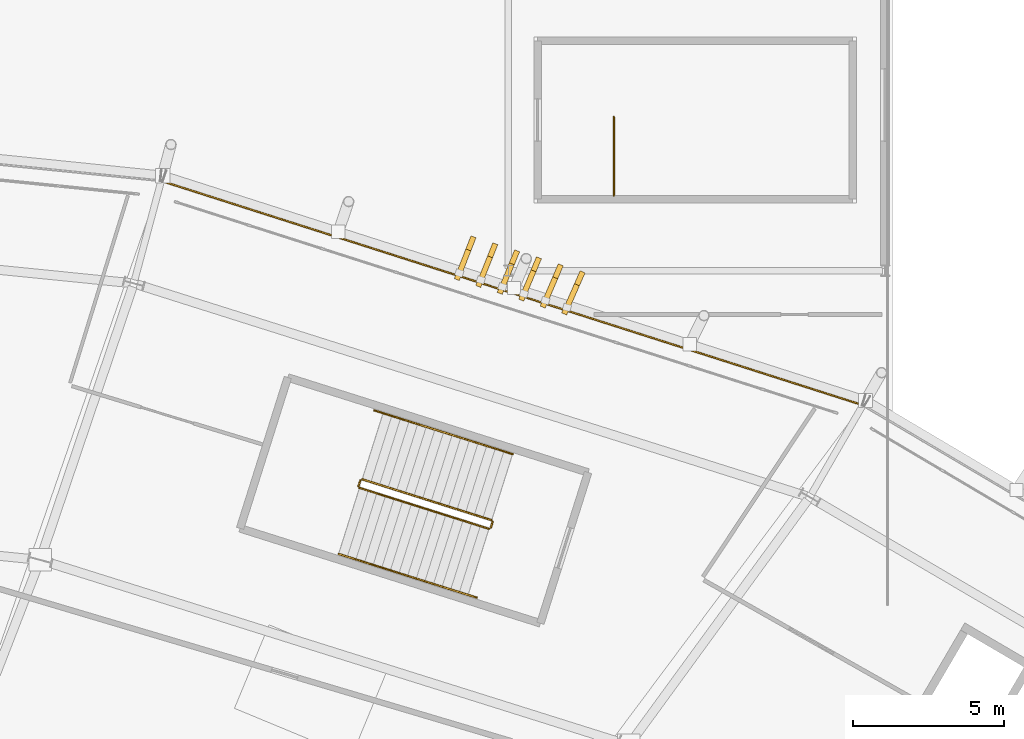
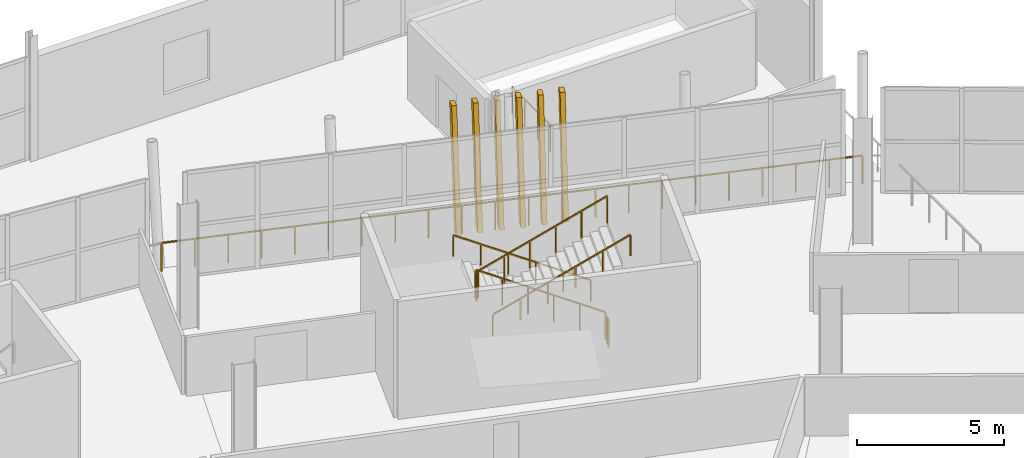
# One storey, part 167 of 168: 8 railings, 6 shading devices.
"""IFC4 building model written with IfcOpenShell, lengths in metres."""

import ifcopenshell
import ifcopenshell.guid

model = None  # the IFC model being written
_history = None  # IfcOwnerHistory: only IFC2X3 demands one
_inside = {}  # id of a spatial element -> (the spatial element, [elements in it])
_under = {}  # id of a project, library or spatial element -> (it, [spatial elements below it])
_declared = {}  # id of a project -> (the project, [libraries it declares])
_typed = {}  # id of a type object -> (the type object, [elements of that type])
_made_of = {}  # id of a material, layer set ... -> (it, [elements and type objects made of it])


def new_model(schema):
    """Start an empty IFC model of exactly this schema.

    Asked for "IFC4X3", IfcOpenShell would pick the latest addendum, in which some entities
    have other attributes; the version numbers below select the first issue.
    IFC2X3 requires an IfcOwnerHistory on every rooted entity: one is made here for all.
    """
    global model, _history
    if schema == "IFC4X3":
        model = ifcopenshell.file(schema_version=(4, 3, 0, 0))
    else:
        model = ifcopenshell.file(schema=schema)
    _inside.clear()
    _under.clear()
    _declared.clear()
    _typed.clear()
    _made_of.clear()
    _history = None
    if model.schema == "IFC2X3":
        org = make("IfcOrganization", Name="unknown")
        user = make(
            "IfcPersonAndOrganization",
            ThePerson=make("IfcPerson", FamilyName="unknown"),
            TheOrganization=org,
        )
        app = make(
            "IfcApplication",
            ApplicationDeveloper=org,
            Version="unknown",
            ApplicationFullName="unknown",
            ApplicationIdentifier="unknown",
        )
        _history = make(
            "IfcOwnerHistory",
            OwningUser=user,
            OwningApplication=app,
            ChangeAction="ADDED",
            CreationDate=0,
        )
    return model


def make(cls, **values):
    """One entity of the class cls with the attributes given. An attribute that is None is left unset."""
    return model.create_entity(
        cls, **{name: value for name, value in values.items() if value is not None}
    )


def rooted(cls, **values):
    """An entity with a GlobalId (a new one), such as an element, a storey or a relation."""
    return make(cls, GlobalId=ifcopenshell.guid.new(), OwnerHistory=_history, **values)


def si_unit(unit_type, name, prefix=None):
    """IfcSIUnit, for example si_unit("LENGTHUNIT", "METRE", prefix="MILLI")."""
    return make("IfcSIUnit", UnitType=unit_type, Prefix=prefix, Name=name)


def assignment(units):
    """IfcUnitAssignment: the units of a project."""
    return None if units is None else make("IfcUnitAssignment", Units=units)


def point(xyz):
    """IfcCartesianPoint."""
    return None if xyz is None else make("IfcCartesianPoint", Coordinates=xyz)


def direction(xyz):
    """IfcDirection."""
    return None if xyz is None else make("IfcDirection", DirectionRatios=xyz)


def frame(location, z_axis=None, x_axis=None):
    """IfcAxis2Placement3D, a coordinate frame: its origin and axes. An axis left out is left unset."""
    return make(
        "IfcAxis2Placement3D",
        Location=point(location),
        Axis=direction(z_axis),
        RefDirection=direction(x_axis),
    )


def frame_2d(location, x_axis=None):
    """IfcAxis2Placement2D, a coordinate frame in the plane: its origin and x axis."""
    return make(
        "IfcAxis2Placement2D", Location=point(location), RefDirection=direction(x_axis)
    )


def origin():
    """The frame at (0, 0, 0) with its axes left unset."""
    return frame((0.0, 0.0, 0.0))


def origin_2d():
    """The frame at (0, 0) in the plane with its x axis left unset."""
    return frame_2d((0.0, 0.0))


def place(relative_to, where):
    """IfcLocalPlacement: puts the frame where relative to a parent placement (None: the world)."""
    return make(
        "IfcLocalPlacement", PlacementRelTo=relative_to, RelativePlacement=where
    )


def context(
    kind, dimensions, precision=None, world=None, true_north=None, identifier=None
):
    """IfcGeometricRepresentationContext, for example the 3D "Model" context."""
    return make(
        "IfcGeometricRepresentationContext",
        ContextIdentifier=identifier,
        ContextType=kind,
        CoordinateSpaceDimension=dimensions,
        Precision=precision,
        WorldCoordinateSystem=world,
        TrueNorth=true_north,
    )


def subcontext(parent, identifier, kind, view, scale=None):
    """IfcGeometricRepresentationSubContext, for example "Body" below "Model"."""
    return make(
        "IfcGeometricRepresentationSubContext",
        ContextIdentifier=identifier,
        ContextType=kind,
        ParentContext=parent,
        TargetScale=scale,
        TargetView=view,
    )


def project(units=None, contexts=None):
    """IfcProject with its units and contexts."""
    return rooted(
        "IfcProject",
        Name="project",
        RepresentationContexts=contexts,
        UnitsInContext=assignment(units),
    )


def spatial(cls, under=None, at=None, **own):
    """A site, building, storey or space (cls), placed at a placement, below another one or the project."""
    s = rooted(cls, ObjectPlacement=at, **own)
    if under is not None:
        _under.setdefault(under.id(), (under, []))[1].append(s)
    return s


def profile(cls, at=None, kind="AREA", **sizes):
    """A parametric profile (cls). Its sizes go by their IFC names, for example OverallWidth=200.0."""
    return make(cls, ProfileType=kind, Position=at, **sizes)


def rectangle(**sizes):
    """IfcRectangleProfileDef."""
    return profile("IfcRectangleProfileDef", **sizes)


def extrude(swept, where, along, depth):
    """IfcExtrudedAreaSolid: the profile swept, set in the frame where, extruded along a direction by depth."""
    return make(
        "IfcExtrudedAreaSolid",
        SweptArea=swept,
        Position=where,
        ExtrudedDirection=direction(along),
        Depth=depth,
    )


def shape(context_of_items, identifier, shape_type, items):
    """IfcShapeRepresentation: the items that make up one representation, for example the "Body"."""
    return make(
        "IfcShapeRepresentation",
        ContextOfItems=context_of_items,
        RepresentationIdentifier=identifier,
        RepresentationType=shape_type,
        Items=items,
    )


def material(Name=None, Category=None):
    """IfcMaterial."""
    return make("IfcMaterial", Name=Name, Category=Category)


def material_profile(
    of_material, cross_section, Name=None, Category=None, Priority=None
):
    """IfcMaterialProfile: a cross section and its material."""
    return make(
        "IfcMaterialProfile",
        Name=Name,
        Material=of_material,
        Profile=cross_section,
        Priority=Priority,
        Category=Category,
    )


def profile_set(profiles, Name=None, composite=None):
    """IfcMaterialProfileSet."""
    return make(
        "IfcMaterialProfileSet",
        Name=Name,
        MaterialProfiles=profiles,
        CompositeProfile=composite,
    )


def made_of(thing, what):
    """Note that an element or type object is made of a material, layer set ...; save() writes the relation."""
    if what is not None:
        _made_of.setdefault(what.id(), (what, []))[1].append(thing)
    return thing


def type_object(cls, material=None, **own):
    """A type object (cls), such as IfcWallType, which elements share."""
    return made_of(rooted(cls, **own), material)


def element(
    cls,
    number,
    at=None,
    inside=None,
    cuts=None,
    type_object=None,
    material=None,
    context=None,
    identifier="Body",
    shape_type=None,
    held_by="IfcProductDefinitionShape",
    body=None,
    shapes=None,
    **own,
):
    """One element of the class cls, such as IfcWall. Its Tag is "e" and its number.

    at: its placement. inside: the storey or other place that contains it. cuts: it is an
    opening in that element (IfcRelVoidsElement). A single representation is given by context,
    identifier, shape_type and body (its items); several are given by shapes. held_by: the class
    of the entity that holds the representations. save() writes the other relations.
    """
    e = rooted(cls, Tag="e%d" % number, ObjectPlacement=at, **own)
    if body is not None:
        shapes = [shape(context, identifier, shape_type, body)]
    if shapes is not None:
        e.Representation = make(held_by, Representations=shapes)
    if inside is not None:
        _inside.setdefault(inside.id(), (inside, []))[1].append(e)
    if cuts is not None:
        rooted(
            "IfcRelVoidsElement", RelatingBuildingElement=cuts, RelatedOpeningElement=e
        )
    if type_object is not None:
        _typed.setdefault(type_object.id(), (type_object, []))[1].append(e)
    return made_of(e, material)


def aggregate(whole, parts):
    """IfcRelAggregates: a whole, such as a stair, and the parts it consists of."""
    return rooted("IfcRelAggregates", RelatingObject=whole, RelatedObjects=parts)


def save(model, path):
    """Write the relations noted so far, then the file.

    IfcRelAggregates (storeys below a building ...), IfcRelContainedInSpatialStructure (elements
    in a storey), IfcRelDefinesByType, IfcRelAssociatesMaterial and IfcRelDeclares: one each for
    every whole, place, type object, material and project.
    """
    for whole, parts in _under.values():
        aggregate(whole, parts)
    for where, things in _inside.values():
        rooted(
            "IfcRelContainedInSpatialStructure",
            RelatedElements=things,
            RelatingStructure=where,
        )
    for kind, things in _typed.values():
        rooted("IfcRelDefinesByType", RelatedObjects=things, RelatingType=kind)
    for what, things in _made_of.values():
        rooted("IfcRelAssociatesMaterial", RelatedObjects=things, RelatingMaterial=what)
    for by, libraries in _declared.values():
        rooted("IfcRelDeclares", RelatingContext=by, RelatedDefinitions=libraries)
    model.write(path)


model = new_model("IFC4")

# Units and contexts
model_context = context("Model", 3, precision=1e-05, world=origin(), true_north=direction((0.0, 1.0)))
body_context = subcontext(model_context, "Body", "Model", "MODEL_VIEW")
ifc_project = project(units=[si_unit("LENGTHUNIT", "METRE"), si_unit("AREAUNIT", "SQUARE_METRE"), si_unit("VOLUMEUNIT", "CUBIC_METRE"), si_unit("PLANEANGLEUNIT", "RADIAN"), si_unit("MASSUNIT", "GRAM", prefix="KILO")], contexts=[model_context])

# Site, building, storey
site_placement = place(None, origin())
site = spatial("IfcSite", under=ifc_project, at=site_placement, CompositionType="ELEMENT")
building_placement = place(site_placement, origin())
building = spatial("IfcBuilding", under=site, at=building_placement, Name="Zlatoyarsky Gate Stadium", CompositionType="ELEMENT")
storey_placement = place(building_placement, frame((0.0, 0.0, 15.60009765625)))
storey = spatial("IfcBuildingStorey", under=building, at=storey_placement, Name="L03", CompositionType="ELEMENT", Elevation=15.60009765625)

# Railings
ifc_material_1 = material(Name="Powder-coated steel tubular guardrail", Category="steel")
railing_type_1 = type_object("IfcRailingType", Name="CONCOURSE SLAB EDGE GUARDRAIL 1200", PredefinedType="GUARDRAIL", material=ifc_material_1)
railing_1_placement = place(storey_placement, frame((159.260986328125, 144.5380859375, 0.0)))
element("IfcRailing", 1, at=railing_1_placement, inside=storey, type_object=railing_type_1, Name="L03 outer slab edge guardrail 04", PredefinedType="GUARDRAIL", context=body_context, shape_type="SweptSolid", body=[
    extrude(rectangle(XDim=0.048095703125, YDim=0.048095703125, at=origin_2d()), frame((0.0, 0.0, 1.17578125), z_axis=(-0.952478180507, 0.304606821424, 0.0), x_axis=(-0.304606821424, -0.952478180507, 0.0)), (0.0, 0.0, 1.0), 24.440673828125),
    extrude(rectangle(XDim=0.0419921875, YDim=0.0419921875, at=origin_2d()), origin(), (0.0, 0.0, 1.0), 1.15185546875),
    extrude(rectangle(XDim=0.0419921875, YDim=0.0419921875, at=origin_2d()), frame((-1.108642578125, 0.3544921875, 0.0)), (0.0, 0.0, 1.0), 1.15185546875),
    extrude(rectangle(XDim=0.0419921875, YDim=0.0419921875, at=origin_2d()), frame((-2.217041015625, 0.708984375, 0.0)), (0.0, 0.0, 1.0), 1.15185546875),
    extrude(rectangle(XDim=0.0419921875, YDim=0.0419921875, at=origin_2d()), frame((-3.32568359375, 1.0634765625, 0.0)), (0.0, 0.0, 1.0), 1.15185546875),
    extrude(rectangle(XDim=0.0419921875, YDim=0.0419921875, at=origin_2d()), frame((-4.43408203125, 1.41796875, 0.0)), (0.0, 0.0, 1.0), 1.15185546875),
    extrude(rectangle(XDim=0.0419921875, YDim=0.0419921875, at=origin_2d()), frame((-5.542724609375, 1.7724609375, 0.0)), (0.0, 0.0, 1.0), 1.15185546875),
    extrude(rectangle(XDim=0.0419921875, YDim=0.0419921875, at=origin_2d()), frame((-6.651123046875, 2.127197265625, 0.0)), (0.0, 0.0, 1.0), 1.15185546875),
    extrude(rectangle(XDim=0.0419921875, YDim=0.0419921875, at=origin_2d()), frame((-7.759765625, 2.481689453125, 0.0)), (0.0, 0.0, 1.0), 1.15185546875),
    extrude(rectangle(XDim=0.0419921875, YDim=0.0419921875, at=origin_2d()), frame((-8.868408203125, 2.836181640625, 0.0)), (0.0, 0.0, 1.0), 1.15185546875),
    extrude(rectangle(XDim=0.0419921875, YDim=0.0419921875, at=origin_2d()), frame((-9.976806640625, 3.190673828125, 0.0)), (0.0, 0.0, 1.0), 1.15185546875),
    extrude(rectangle(XDim=0.0419921875, YDim=0.0419921875, at=origin_2d()), frame((-11.08544921875, 3.545166015625, 0.0)), (0.0, 0.0, 1.0), 1.15185546875),
    extrude(rectangle(XDim=0.0419921875, YDim=0.0419921875, at=origin_2d()), frame((-12.19384765625, 3.899658203125, 0.0)), (0.0, 0.0, 1.0), 1.15185546875),
    extrude(rectangle(XDim=0.0419921875, YDim=0.0419921875, at=origin_2d()), frame((-13.302490234375, 4.254150390625, 0.0)), (0.0, 0.0, 1.0), 1.15185546875),
    extrude(rectangle(XDim=0.0419921875, YDim=0.0419921875, at=origin_2d()), frame((-14.410888671875, 4.608642578125, 0.0)), (0.0, 0.0, 1.0), 1.15185546875),
    extrude(rectangle(XDim=0.0419921875, YDim=0.0419921875, at=origin_2d()), frame((-15.51953125, 4.963134765625, 0.0)), (0.0, 0.0, 1.0), 1.15185546875),
    extrude(rectangle(XDim=0.0419921875, YDim=0.0419921875, at=origin_2d()), frame((-16.628173828125, 5.317626953125, 0.0)), (0.0, 0.0, 1.0), 1.15185546875),
    extrude(rectangle(XDim=0.0419921875, YDim=0.0419921875, at=origin_2d()), frame((-17.736572265625, 5.67236328125, 0.0)), (0.0, 0.0, 1.0), 1.15185546875),
    extrude(rectangle(XDim=0.0419921875, YDim=0.0419921875, at=origin_2d()), frame((-18.84521484375, 6.02685546875, 0.0)), (0.0, 0.0, 1.0), 1.15185546875),
    extrude(rectangle(XDim=0.0419921875, YDim=0.0419921875, at=origin_2d()), frame((-19.95361328125, 6.38134765625, 0.0)), (0.0, 0.0, 1.0), 1.15185546875),
    extrude(rectangle(XDim=0.0419921875, YDim=0.0419921875, at=origin_2d()), frame((-21.062255859375, 6.73583984375, 0.0)), (0.0, 0.0, 1.0), 1.15185546875),
    extrude(rectangle(XDim=0.0419921875, YDim=0.0419921875, at=origin_2d()), frame((-22.170654296875, 7.09033203125, 0.0)), (0.0, 0.0, 1.0), 1.15185546875),
    extrude(rectangle(XDim=0.0419921875, YDim=0.0419921875, at=origin_2d()), frame((-23.279296875, 7.44482421875, 0.0)), (0.0, 0.0, 1.0), 1.15185546875),
])
ifc_material_2 = material(Name="Powder-coated steel stair guardrail", Category="steel")
railing_type_2 = type_object("IfcRailingType", Name="PAINTED STEEL STAIR WELL GUARDRAIL 1150", PredefinedType="GUARDRAIL", material=ifc_material_2)
railing_2_placement = place(storey_placement, frame((146.94482421875, 140.7236328125, 0.162353515625)))
element("IfcRailing", 2, at=railing_2_placement, inside=storey, type_object=railing_type_2, Name="ST-03 L03 stair guard 1", PredefinedType="GUARDRAIL", context=body_context, shape_type="SweptSolid", body=[
    extrude(rectangle(XDim=0.048095703125, YDim=0.048095703125, at=origin_2d()), frame((0.0, 0.0, 1.1259765625), z_axis=(-0.838373688644, 0.26509858813, 0.476290139264), x_axis=(-0.301492268635, -0.953468621378, 0.0)), (0.0, 0.0, 1.0), 5.11767578125),
    extrude(rectangle(XDim=0.0419921875, YDim=0.0419921875, at=origin_2d()), origin(), (0.0, 0.0, 1.0), 1.101806640625),
    extrude(rectangle(XDim=0.0419921875, YDim=0.0419921875, at=origin_2d()), frame((-0.858154296875, 0.271240234375, 0.487548828125)), (0.0, 0.0, 1.0), 1.101806640625),
    extrude(rectangle(XDim=0.0419921875, YDim=0.0419921875, at=origin_2d()), frame((-1.71630859375, 0.542724609375, 0.97509765625)), (0.0, 0.0, 1.0), 1.101806640625),
    extrude(rectangle(XDim=0.0419921875, YDim=0.0419921875, at=origin_2d()), frame((-2.57421875, 0.81396484375, 1.46240234375)), (0.0, 0.0, 1.0), 1.101806640625),
    extrude(rectangle(XDim=0.0419921875, YDim=0.0419921875, at=origin_2d()), frame((-3.432373046875, 1.08544921875, 1.949951171875)), (0.0, 0.0, 1.0), 1.101806640625),
    extrude(rectangle(XDim=0.0419921875, YDim=0.0419921875, at=origin_2d()), frame((-4.29052734375, 1.356689453125, 2.4375)), (0.0, 0.0, 1.0), 1.101806640625),
])
railing_3_placement = place(storey_placement, frame((142.591552734375, 142.0478515625, 2.599853515625)))
element("IfcRailing", 3, at=railing_3_placement, inside=storey, type_object=railing_type_2, Name="ST-03 L03 stair guard 2", PredefinedType="GUARDRAIL", context=body_context, shape_type="SweptSolid", body=[
    extrude(rectangle(XDim=0.048095703125, YDim=0.048095703125, at=origin_2d()), frame((0.0, 0.0, 1.1259765625), z_axis=(-0.301540327315, -0.953453423615, 0.0), x_axis=(0.953453423615, -0.301540327315, 0.0)), (0.0, 0.0, 1.0), 0.199951171875),
    extrude(rectangle(XDim=0.0419921875, YDim=0.0419921875, at=origin_2d()), origin(), (0.0, 0.0, 1.0), 1.101806640625),
    extrude(rectangle(XDim=0.0419921875, YDim=0.0419921875, at=origin_2d()), frame((-0.060302734375, -0.190673828125, 0.0)), (0.0, 0.0, 1.0), 1.101806640625),
])
railing_4_placement = place(storey_placement, frame((142.563720703125, 141.79443359375, 2.762451171875)))
element("IfcRailing", 4, at=railing_4_placement, inside=storey, type_object=railing_type_2, Name="ST-03 L03 stair guard 3", PredefinedType="GUARDRAIL", context=body_context, shape_type="SweptSolid", body=[
    extrude(rectangle(XDim=0.048095703125, YDim=0.048095703125, at=origin_2d()), frame((0.0, 0.0, 1.1259765625), z_axis=(0.838363085299, -0.26514294003, 0.476284115376), x_axis=(0.301541590324, 0.953453024173, 0.0)), (0.0, 0.0, 1.0), 5.11767578125),
    extrude(rectangle(XDim=0.0419921875, YDim=0.0419921875, at=origin_2d()), origin(), (0.0, 0.0, 1.0), 1.101806640625),
    extrude(rectangle(XDim=0.0419921875, YDim=0.0419921875, at=origin_2d()), frame((0.858154296875, -0.271484375, 0.487548828125)), (0.0, 0.0, 1.0), 1.101806640625),
    extrude(rectangle(XDim=0.0419921875, YDim=0.0419921875, at=origin_2d()), frame((1.71630859375, -0.542724609375, 0.97509765625)), (0.0, 0.0, 1.0), 1.101806640625),
    extrude(rectangle(XDim=0.0419921875, YDim=0.0419921875, at=origin_2d()), frame((2.57421875, -0.814208984375, 1.46240234375)), (0.0, 0.0, 1.0), 1.101806640625),
    extrude(rectangle(XDim=0.0419921875, YDim=0.0419921875, at=origin_2d()), frame((3.432373046875, -1.08544921875, 1.949951171875)), (0.0, 0.0, 1.0), 1.101806640625),
    extrude(rectangle(XDim=0.0419921875, YDim=0.0419921875, at=origin_2d()), frame((4.29052734375, -1.35693359375, 2.4375)), (0.0, 0.0, 1.0), 1.101806640625),
])
railing_5_placement = place(storey_placement, frame((146.977294921875, 140.660888671875, 0.0)))
element("IfcRailing", 5, at=railing_5_placement, inside=storey, type_object=railing_type_2, Name="ST-03 L03 stair guard 4", PredefinedType="GUARDRAIL", context=body_context, shape_type="SweptSolid", body=[
    extrude(rectangle(XDim=0.048095703125, YDim=0.048095703125, at=origin_2d()), frame((0.0, 0.0, 1.1259765625), z_axis=(-0.301540327315, -0.953453423615, 0.0), x_axis=(0.953453423615, -0.301540327315, 0.0)), (0.0, 0.0, 1.0), 0.199951171875),
    extrude(rectangle(XDim=0.0419921875, YDim=0.0419921875, at=origin_2d()), origin(), (0.0, 0.0, 1.0), 1.101806640625),
    extrude(rectangle(XDim=0.0419921875, YDim=0.0419921875, at=origin_2d()), frame((-0.060302734375, -0.190673828125, 0.0)), (0.0, 0.0, 1.0), 1.101806640625),
])
railing_6_placement = place(storey_placement, frame((151.0, 151.5, 0.0)))
element("IfcRailing", 6, at=railing_6_placement, inside=storey, type_object=railing_type_2, Name="ST-32 L03 top well guard 1", PredefinedType="GUARDRAIL", context=body_context, shape_type="SweptSolid", body=[
    extrude(rectangle(XDim=0.048095703125, YDim=0.048095703125, at=origin_2d()), frame((0.0, 0.0, 1.1259765625), z_axis=(0.0, 1.0, 0.0), x_axis=(-1.0, 0.0, 0.0)), (0.0, 0.0, 1.0), 2.60009765625),
    extrude(rectangle(XDim=0.0419921875, YDim=0.0419921875, at=origin_2d()), origin(), (0.0, 0.0, 1.0), 1.101806640625),
    extrude(rectangle(XDim=0.0419921875, YDim=0.0419921875, at=origin_2d()), frame((0.0, 0.86669921875, 0.0)), (0.0, 0.0, 1.0), 1.101806640625),
    extrude(rectangle(XDim=0.0419921875, YDim=0.0419921875, at=origin_2d()), frame((0.0, 1.7333984375, 0.0)), (0.0, 0.0, 1.0), 1.101806640625),
    extrude(rectangle(XDim=0.0419921875, YDim=0.0419921875, at=origin_2d()), frame((0.0, 2.60009765625, 0.0)), (0.0, 0.0, 1.0), 1.101806640625),
])

# Shading devices
ifc_material_3 = material(Name="Precast concrete C40/50 stone-toned architectural rib", Category="masonry")
ifc_material_profile = material_profile(ifc_material_3, rectangle(XDim=0.179931640625, YDim=0.47998046875, at=origin_2d()), Name="RIB 180X480")
ifc_profile_set = profile_set([ifc_material_profile], Name="Precast concrete C40/50 stone-toned architectural rib")
shading_device_type = type_object("IfcShadingDeviceType", Name="PRECAST RIBBED BOWL LOUVRE FIN 180X480", PredefinedType="JALOUSIE", material=ifc_profile_set)
for number, where, z_axis, x_axis, name in (
    (7, (149.4453125, 147.78076171875, -0.010009765625), (0.08884639366, 0.202880407833, 0.975164528913), (-0.916014333163, 0.401145536482, 0.0), "Leaning bowl louvre fin L03-04-1"),
    (8, (148.73095703125, 148.00927734375, -0.010009765625), (0.08721137083, 0.203595379471, 0.975163113667), (-0.919216601821, 0.393752255786, 0.0), "Leaning bowl louvre fin L03-04-2"),
    (9, (148.0166015625, 148.23779296875, -0.010009765625), (0.085576973396, 0.204260740082, 0.975168770873), (-0.92232437715, 0.386416541202, 0.0), "Leaning bowl louvre fin L03-04-3"),
    (10, (147.30224609375, 148.46630859375, -0.010009765625), (0.083890685975, 0.204975293624, 0.975165361265), (-0.92548815227, 0.378776556836, 0.0), "Leaning bowl louvre fin L03-04-4"),
    (11, (146.587890625, 148.69482421875, -0.010009765625), (0.082255743552, 0.20563935888, 0.975164830545), (-0.928476690885, 0.371390676354, 0.0), "Leaning bowl louvre fin L03-04-5"),
    (12, (145.87353515625, 148.92333984375, -0.010009765625), (0.080620551856, 0.206302780985, 0.975161263164), (-0.931406038961, 0.36398185475, 0.0), "Leaning bowl louvre fin L03-04-6"),
):
    element("IfcShadingDevice", number, at=place(storey_placement, frame(where, z_axis=z_axis, x_axis=x_axis)), inside=storey, type_object=shading_device_type, Name=name, PredefinedType="JALOUSIE", context=body_context, shape_type="SweptSolid", body=[
        extrude(rectangle(XDim=0.179931640625, YDim=0.47998046875, at=origin_2d()), origin(), (0.0, 0.0, 1.0), 4.778564453125),
    ])

# Railings
ifc_material_4 = material(Name="Brushed stainless steel 316 handrail", Category="steel")
railing_type_3 = type_object("IfcRailingType", Name="STAINLESS STEEL TUBULAR HANDRAIL 900", PredefinedType="HANDRAIL", material=ifc_material_4)
railing_7_placement = place(storey_placement, frame((147.63818359375, 142.91650390625, 0.16650390625)))
element("IfcRailing", 13, at=railing_7_placement, inside=storey, type_object=railing_type_3, Name="ST-03 L03 stair handrail 1", PredefinedType="HANDRAIL", context=body_context, shape_type="SweptSolid", body=[
    extrude(rectangle(XDim=0.048095703125, YDim=0.048095703125, at=origin_2d()), frame((0.0, 0.0, 0.8759765625), z_axis=(-0.838384417276, 0.265120176337, 0.476259237148), x_axis=(-0.301511080938, -0.953462672616, 0.0)), (0.0, 0.0, 1.0), 5.458984375),
    extrude(rectangle(XDim=0.0419921875, YDim=0.0419921875, at=origin_2d()), origin(), (0.0, 0.0, 1.0), 0.851806640625),
    extrude(rectangle(XDim=0.0419921875, YDim=0.0419921875, at=origin_2d()), frame((-0.915283203125, 0.28955078125, 0.52001953125)), (0.0, 0.0, 1.0), 0.851806640625),
    extrude(rectangle(XDim=0.0419921875, YDim=0.0419921875, at=origin_2d()), frame((-1.83056640625, 0.578857421875, 1.0400390625)), (0.0, 0.0, 1.0), 0.851806640625),
    extrude(rectangle(XDim=0.0419921875, YDim=0.0419921875, at=origin_2d()), frame((-2.74609375, 0.868408203125, 1.559814453125)), (0.0, 0.0, 1.0), 0.851806640625),
    extrude(rectangle(XDim=0.0419921875, YDim=0.0419921875, at=origin_2d()), frame((-3.661376953125, 1.15771484375, 2.079833984375)), (0.0, 0.0, 1.0), 0.851806640625),
    extrude(rectangle(XDim=0.0419921875, YDim=0.0419921875, at=origin_2d()), frame((-4.57666015625, 1.447265625, 2.599853515625)), (0.0, 0.0, 1.0), 0.851806640625),
])
railing_8_placement = place(storey_placement, frame((141.870361328125, 139.601318359375, 2.766357421875)))
element("IfcRailing", 14, at=railing_8_placement, inside=storey, type_object=railing_type_3, Name="ST-03 L03 stair handrail 2", PredefinedType="HANDRAIL", context=body_context, shape_type="SweptSolid", body=[
    extrude(rectangle(XDim=0.048095703125, YDim=0.048095703125, at=origin_2d()), frame((0.0, 0.0, 0.8759765625), z_axis=(0.83835326985, -0.265124469654, 0.476311673721), x_axis=(0.301525703453, 0.953458048452, 0.0)), (0.0, 0.0, 1.0), 5.458740234375),
    extrude(rectangle(XDim=0.0419921875, YDim=0.0419921875, at=origin_2d()), origin(), (0.0, 0.0, 1.0), 0.851806640625),
    extrude(rectangle(XDim=0.0419921875, YDim=0.0419921875, at=origin_2d()), frame((0.915283203125, -0.28955078125, 0.52001953125)), (0.0, 0.0, 1.0), 0.851806640625),
    extrude(rectangle(XDim=0.0419921875, YDim=0.0419921875, at=origin_2d()), frame((1.83056640625, -0.578857421875, 1.0400390625)), (0.0, 0.0, 1.0), 0.851806640625),
    extrude(rectangle(XDim=0.0419921875, YDim=0.0419921875, at=origin_2d()), frame((2.745849609375, -0.868408203125, 1.56005859375)), (0.0, 0.0, 1.0), 0.851806640625),
    extrude(rectangle(XDim=0.0419921875, YDim=0.0419921875, at=origin_2d()), frame((3.6611328125, -1.15771484375, 2.080078125)), (0.0, 0.0, 1.0), 0.851806640625),
    extrude(rectangle(XDim=0.0419921875, YDim=0.0419921875, at=origin_2d()), frame((4.576416015625, -1.447265625, 2.60009765625)), (0.0, 0.0, 1.0), 0.851806640625),
])

save(model, "model.ifc")
